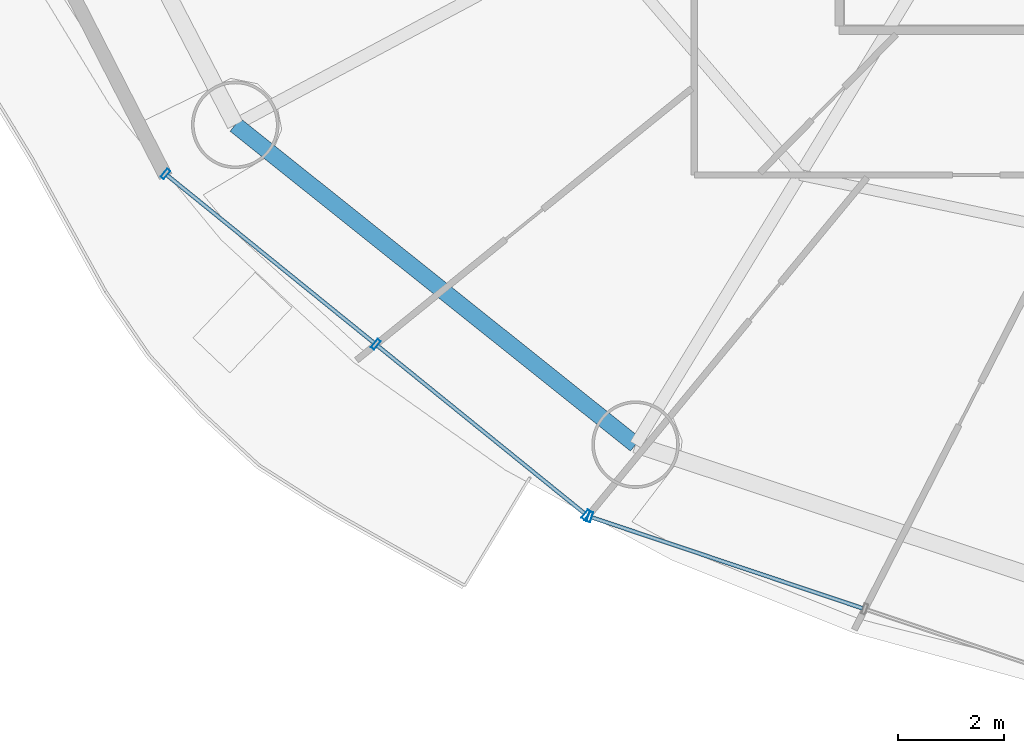
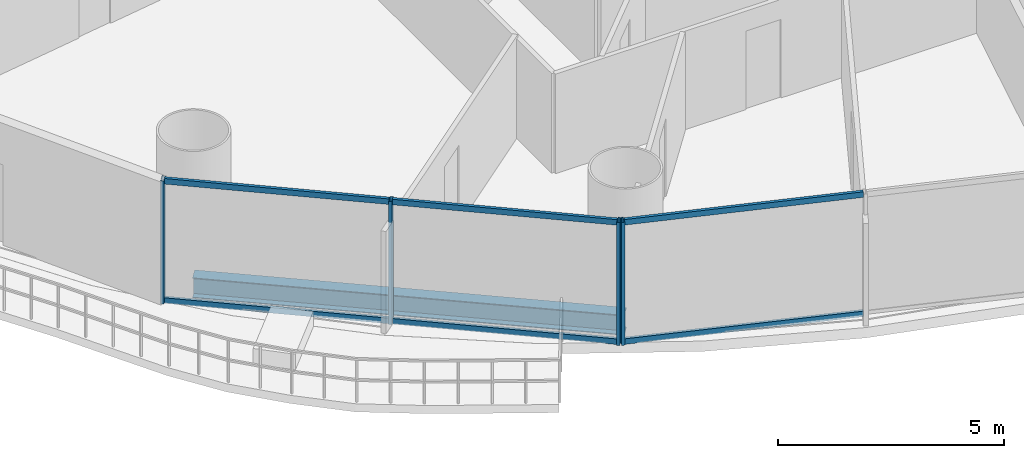
# One storey, part 2 of 30: 10 members, 1 beam, 2 elements without a shape of their own.
"""IFC4 building model written with IfcOpenShell, lengths in metres."""

from ifc_helpers import new_model, si_unit, direction, frame, origin, origin_2d, place, context, subcontext, project, spatial, hollow_rectangle, i_section, extrude, source, transform, mapped, material, material_profile, profile_set, type_object, element, aggregate, save


model = new_model("IFC4")

# Units and contexts
model_context = context("Model", 3, precision=1e-05, world=origin(), true_north=direction((-0.2419218956, 0.970295726276)))
body_context = subcontext(model_context, "Body", "Model", "MODEL_VIEW")
ifc_project = project(units=[si_unit("LENGTHUNIT", "METRE"), si_unit("AREAUNIT", "SQUARE_METRE"), si_unit("VOLUMEUNIT", "CUBIC_METRE"), si_unit("PLANEANGLEUNIT", "RADIAN"), si_unit("MASSUNIT", "GRAM", prefix="KILO")], contexts=[model_context])

# Site, building, storey
site_placement = place(None, origin())
site = spatial("IfcSite", under=ifc_project, at=site_placement, CompositionType="ELEMENT")
building_placement = place(site_placement, origin())
building = spatial("IfcBuilding", under=site, at=building_placement, Name="Cobrevalo Terracotta Tower", CompositionType="ELEMENT")
storey_placement = place(building_placement, frame((0.0, 0.0, 31.199951171875)))
storey = spatial("IfcBuildingStorey", under=building, at=storey_placement, Name="L07", CompositionType="ELEMENT", Elevation=31.199951171875)

# Beam
ifc_material_1 = material(Name="Steel S355", Category="steel")
ifc_material_profile_1 = material_profile(ifc_material_1, i_section(OverallWidth=0.31201171875, OverallDepth=0.54296875, WebThickness=0.0126953125, FlangeThickness=0.020263671875, at=origin_2d()), Name="W 530x150")
ifc_profile_set_1 = profile_set([ifc_material_profile_1], Name="Steel S355")
beam_type = type_object("IfcBeamType", Name="Structural Spandrel W 530x150 (Steel S355)", PredefinedType="SPANDREL", material=ifc_profile_set_1)
beam_placement = place(storey_placement, frame((15.25927734375, 14.660888671875, -0.551513671875), z_axis=(0.781280479891, -0.62418011162, 0.0), x_axis=(0.62418011162, 0.781280479891, 0.0)))
element("IfcBeam", 1, at=beam_placement, inside=storey, type_object=beam_type, Name="L07 perimeter ring spandrel 10", PredefinedType="SPANDREL", context=body_context, shape_type="SweptSolid", body=[
    extrude(i_section(OverallWidth=0.31201171875, OverallDepth=0.54296875, WebThickness=0.0126953125, FlangeThickness=0.020263671875, at=origin_2d()), origin(), (0.0, 0.0, 1.0), 9.658447265625),
])

# Curtain wall, members
ifc_material_2 = material(Name="Anodized aluminium", Category="aluminium")
curtain_wall_type = type_object("IfcCurtainWallType", Name="Lower-tower unitised acoustic low-E curtain wall CW-U1", PredefinedType="NOTDEFINED", material=ifc_material_2)
curtain_wall_1_placement = place(storey_placement, origin())
curtain_wall_1 = element("IfcCurtainWall", 2, at=curtain_wall_1_placement, inside=storey, type_object=curtain_wall_type, Name="L07 curtain wall CW-L07-S10", PredefinedType="NOTDEFINED")
ifc_material_profile_2 = material_profile(ifc_material_2, hollow_rectangle(XDim=0.074951171875, YDim=0.199951171875, WallThickness=0.0048828125, at=origin_2d()), Name="CWM 75x200")
ifc_profile_set_2 = profile_set([ifc_material_profile_2], Name="Anodized aluminium")
member_type_1 = type_object("IfcMemberType", Name="Lower/mid tower unitised mullion 75x200", PredefinedType="MULLION", material=ifc_profile_set_2)
shared_shape_1 = source(origin(), body_context, "Body", "SweptSolid", [
    extrude(hollow_rectangle(XDim=0.074951171875, YDim=0.199951171875, WallThickness=0.0048828125, at=origin_2d()), origin(), (0.0, 0.0, 1.0), 3.320068359375),
])
member_1_placement = place(storey_placement, frame((13.943359375, 13.735595703125, 0.0), z_axis=(0.0, 0.0, 1.0), x_axis=(0.777003153187, -0.629496703675, 0.0)))
member_1 = element("IfcMember", 3, at=member_1_placement, type_object=member_type_1, Name="CW-L07-S10 vertical mullion 01", PredefinedType="MULLION", context=body_context, shape_type="MappedRepresentation", body=[
    mapped(shared_shape_1, transform((0.0, 0.0, 0.0), scale=1.0)),
])
member_2_placement = place(storey_placement, frame((17.90869140625, 10.523193359375, 0.0), z_axis=(0.0, 0.0, 1.0), x_axis=(0.777003153187, -0.629496703675, 0.0)))
member_2 = element("IfcMember", 4, at=member_2_placement, type_object=member_type_1, Name="CW-L07-S10 vertical mullion 02", PredefinedType="MULLION", context=body_context, shape_type="MappedRepresentation", body=[
    mapped(shared_shape_1, transform((0.0, 0.0, 0.0), scale=1.0)),
])
member_3_placement = place(storey_placement, frame((21.8740234375, 7.310546875, 0.0), z_axis=(0.0, 0.0, 1.0), x_axis=(0.777003153187, -0.629496703675, 0.0)))
member_3 = element("IfcMember", 5, at=member_3_placement, type_object=member_type_1, Name="CW-L07-S10 vertical mullion 03", PredefinedType="MULLION", context=body_context, shape_type="MappedRepresentation", body=[
    mapped(shared_shape_1, transform((0.0, 0.0, 0.0), scale=1.0)),
])

# Curtain wall, member
curtain_wall_2_placement = place(storey_placement, origin())
curtain_wall_2 = element("IfcCurtainWall", 6, at=curtain_wall_2_placement, inside=storey, type_object=curtain_wall_type, Name="L07 curtain wall CW-L07-S11", PredefinedType="NOTDEFINED")
member_4_placement = place(storey_placement, frame((21.943115234375, 7.272705078125, 0.0), z_axis=(0.0, 0.0, 1.0), x_axis=(0.948046393597, -0.318132103987, 0.0)))
member_4 = element("IfcMember", 7, at=member_4_placement, type_object=member_type_1, Name="CW-L07-S11 vertical mullion 01", PredefinedType="MULLION", context=body_context, shape_type="MappedRepresentation", body=[
    mapped(shared_shape_1, transform((0.0, 0.0, 0.0), scale=1.0)),
])

# Member
ifc_material_profile_3 = material_profile(ifc_material_2, hollow_rectangle(XDim=0.074951171875, YDim=0.14990234375, WallThickness=0.00439453125, at=origin_2d()), Name="CWT 75x150")
ifc_profile_set_3 = profile_set([ifc_material_profile_3], Name="Anodized aluminium")
member_type_2 = type_object("IfcMemberType", Name="Tower unitised aluminium transom 75x150", PredefinedType="USERDEFINED", material=ifc_profile_set_3)
shared_shape_2 = source(origin(), body_context, "Body", "SweptSolid", [
    extrude(hollow_rectangle(XDim=0.074951171875, YDim=0.14990234375, WallThickness=0.00439453125, at=origin_2d()), origin(), (0.0, 0.0, 1.0), 5.0234375),
])
member_5_placement = place(storey_placement, frame((13.974365234375, 13.71044921875, 0.050048828125), z_axis=(0.777022991593, -0.629472215857, 0.0), x_axis=(0.629472215857, 0.777022991593, 0.0)))
member_5 = element("IfcMember", 8, at=member_5_placement, type_object=member_type_2, Name="CW-L07-S10 transom B01-T1", ObjectType="TRANSOM", PredefinedType="USERDEFINED", context=body_context, shape_type="MappedRepresentation", body=[
    mapped(shared_shape_2, transform((0.0, 0.0, 0.0), scale=1.0)),
])

member_6_placement = place(storey_placement, frame((13.974365234375, 13.71044921875, 3.27001953125), z_axis=(0.777022991593, -0.629472215857, 0.0), x_axis=(0.629472215857, 0.777022991593, 0.0)))
member_6 = element("IfcMember", 9, at=member_6_placement, type_object=member_type_2, Name="CW-L07-S10 transom B01-T2", ObjectType="TRANSOM", PredefinedType="USERDEFINED", context=body_context, shape_type="MappedRepresentation", body=[
    mapped(shared_shape_2, transform((0.0, 0.0, 0.0), scale=1.0)),
])

member_7_placement = place(storey_placement, frame((17.939697265625, 10.497802734375, 0.050048828125), z_axis=(0.777022991593, -0.629472215857, 0.0), x_axis=(0.629472215857, 0.777022991593, 0.0)))
member_7 = element("IfcMember", 10, at=member_7_placement, type_object=member_type_2, Name="CW-L07-S10 transom B02-T1", ObjectType="TRANSOM", PredefinedType="USERDEFINED", context=body_context, shape_type="MappedRepresentation", body=[
    mapped(shared_shape_2, transform((0.0, 0.0, 0.0), scale=1.0)),
])

member_8_placement = place(storey_placement, frame((17.939697265625, 10.497802734375, 3.27001953125), z_axis=(0.777022991593, -0.629472215857, 0.0), x_axis=(0.629472215857, 0.777022991593, 0.0)))
member_8 = element("IfcMember", 11, at=member_8_placement, type_object=member_type_2, Name="CW-L07-S10 transom B02-T2", ObjectType="TRANSOM", PredefinedType="USERDEFINED", context=body_context, shape_type="MappedRepresentation", body=[
    mapped(shared_shape_2, transform((0.0, 0.0, 0.0), scale=1.0)),
])

aggregate(curtain_wall_1, [member_1, member_2, member_3, member_5, member_6, member_7, member_8])

shared_shape_3 = source(origin(), body_context, "Body", "SweptSolid", [
    extrude(hollow_rectangle(XDim=0.074951171875, YDim=0.14990234375, WallThickness=0.00439453125, at=origin_2d()), origin(), (0.0, 0.0, 1.0), 5.387939453125),
])
member_9_placement = place(storey_placement, frame((21.98095703125, 7.260009765625, 0.050048828125), z_axis=(0.94804244582, -0.318143868278, 0.0), x_axis=(0.318143868278, 0.94804244582, 0.0)))
member_9 = element("IfcMember", 12, at=member_9_placement, type_object=member_type_2, Name="CW-L07-S11 transom B01-T1", ObjectType="TRANSOM", PredefinedType="USERDEFINED", context=body_context, shape_type="MappedRepresentation", body=[
    mapped(shared_shape_3, transform((0.0, 0.0, 0.0), scale=1.0)),
])

member_10_placement = place(storey_placement, frame((21.98095703125, 7.260009765625, 3.27001953125), z_axis=(0.94804244582, -0.318143868278, 0.0), x_axis=(0.318143868278, 0.94804244582, 0.0)))
member_10 = element("IfcMember", 13, at=member_10_placement, type_object=member_type_2, Name="CW-L07-S11 transom B01-T2", ObjectType="TRANSOM", PredefinedType="USERDEFINED", context=body_context, shape_type="MappedRepresentation", body=[
    mapped(shared_shape_3, transform((0.0, 0.0, 0.0), scale=1.0)),
])

aggregate(curtain_wall_2, [member_4, member_9, member_10])

save(model, "model.ifc")
